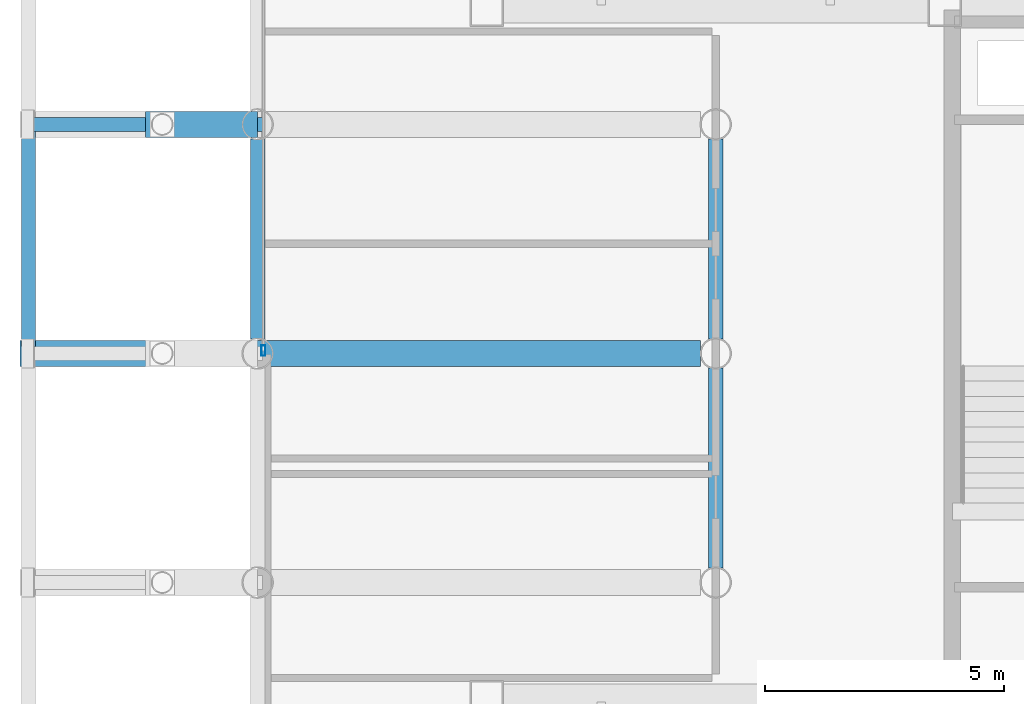
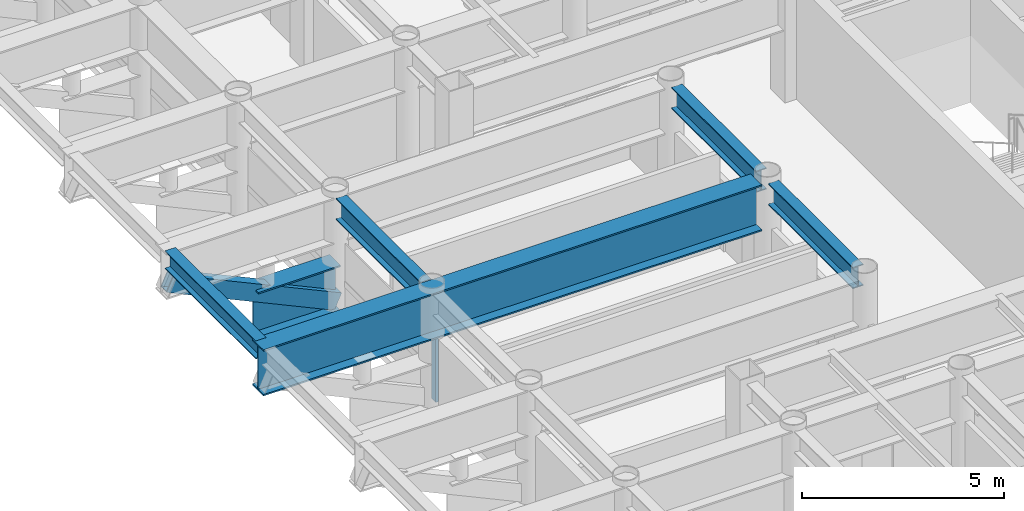
# One storey, part 5 of 23: 6 beams, 2 members, 1 element without a shape of its own.
"""IFC4 building model written with IfcOpenShell, lengths in metres."""

from ifc_helpers import new_model, si_unit, direction, frame, origin, origin_2d, place, context, subcontext, project, spatial, hollow_rectangle, i_section, extrude, material, layer, layer_set, material_profile, profile_set, type_object, element, aggregate, save


model = new_model("IFC4")

# Units and contexts
model_context = context("Model", 3, precision=1e-05, world=origin(), true_north=direction((0.0, 1.0)))
body_context = subcontext(model_context, "Body", "Model", "MODEL_VIEW")
ifc_project = project(units=[si_unit("LENGTHUNIT", "METRE"), si_unit("AREAUNIT", "SQUARE_METRE"), si_unit("VOLUMEUNIT", "CUBIC_METRE"), si_unit("PLANEANGLEUNIT", "RADIAN"), si_unit("MASSUNIT", "GRAM", prefix="KILO")], contexts=[model_context])

# Site, building, storey
site_placement = place(None, origin())
site = spatial("IfcSite", under=ifc_project, at=site_placement, CompositionType="ELEMENT")
building_placement = place(site_placement, origin())
building = spatial("IfcBuilding", under=site, at=building_placement, Name="Kallvorn Hotel Tower", CompositionType="ELEMENT")
storey_placement = place(building_placement, frame((0.0, 0.0, 121.10009765625)))
storey = spatial("IfcBuildingStorey", under=building, at=storey_placement, Name="L29", CompositionType="ELEMENT", Elevation=121.10009765625)

# Beams
ifc_material_1 = material(Name="Structural steel S355JR", Category="steel")
ifc_material_profile_1 = material_profile(ifc_material_1, i_section(OverallWidth=0.300048828125, OverallDepth=0.550048828125, WebThickness=0.014892578125, FlangeThickness=0.029052734375, at=origin_2d()), Name="HE 550 B")
ifc_profile_set_1 = profile_set([ifc_material_profile_1], Name="Structural steel S355JR")
beam_type_1 = type_object("IfcBeamType", Name="BM_HE550B", PredefinedType="SPANDREL", material=ifc_profile_set_1)
beam_1_placement = place(storey_placement, frame((-33.60009765625, 0.14990234375, 3.244873046875), z_axis=(0.0, 1.0, 0.0), x_axis=(-1.0, 0.0, 0.0)))
element("IfcBeam", 1, at=beam_1_placement, inside=storey, type_object=beam_type_1, Name="L30 Perimeter Spandrel 186", PredefinedType="SPANDREL", context=body_context, shape_type="SweptSolid", body=[
    extrude(i_section(OverallWidth=0.300048828125, OverallDepth=0.550048828125, WebThickness=0.014892578125, FlangeThickness=0.029052734375, at=origin_2d()), origin(), (0.0, 0.0, 1.0), 4.5),
])
ifc_material_2 = material(Name="Structural steel S355JR", Category="steel")
ifc_material_profile_2 = material_profile(ifc_material_2, i_section(OverallWidth=0.300048828125, OverallDepth=0.64990234375, WebThickness=0.01611328125, FlangeThickness=0.031005859375, at=origin_2d()), Name="HE 650 B")
ifc_profile_set_2 = profile_set([ifc_material_profile_2], Name="Structural steel S355JR")
beam_type_2 = type_object("IfcBeamType", Name="BM_HE650B", PredefinedType="BEAM", material=ifc_profile_set_2)
for number, where, z_axis, x_axis, name in (
    (2, (-28.800048828125, 0.304931640625, 3.19482421875), (0.0, 1.0, 0.0), (-1.0, 0.0, 0.0), "L30 Primary Y-Girder 86"),
    (3, (-19.199951171875, -4.4951171875, 3.19482421875), (0.0, 1.0, 0.0), (-1.0, 0.0, 0.0), "L30 Primary Y-Girder 100"),
    (4, (-19.199951171875, 0.304931640625, 3.19482421875), (0.0, 1.0, 0.0), (-1.0, 0.0, 0.0), "L30 Primary Y-Girder 101"),
):
    element("IfcBeam", number, at=place(storey_placement, frame(where, z_axis=z_axis, x_axis=x_axis)), inside=storey, type_object=beam_type_2, Name=name, PredefinedType="BEAM", context=body_context, shape_type="SweptSolid", body=[
        extrude(i_section(OverallWidth=0.300048828125, OverallDepth=0.64990234375, WebThickness=0.01611328125, FlangeThickness=0.031005859375, at=origin_2d()), origin(), (0.0, 0.0, 1.0), 4.190185546875),
    ])
ifc_material_3 = material(Name="Structural steel S355JR", Category="steel")
ifc_material_profile_3 = material_profile(ifc_material_3, i_section(OverallWidth=0.550048828125, OverallDepth=1.39990234375, WebThickness=0.02490234375, FlangeThickness=0.044921875, at=origin_2d()), Name="PG 1400x550x25x45")
ifc_profile_set_3 = profile_set([ifc_material_profile_3], Name="Structural steel S355JR")
beam_type_3 = type_object("IfcBeamType", Name="BM_PG_1400", PredefinedType="BEAM", material=ifc_profile_set_3)
beam_2_placement = place(storey_placement, frame((-19.52001953125, 0.0, 2.81982421875), z_axis=(-1.0, 0.0, 0.0), x_axis=(0.0, -1.0, 0.0)))
element("IfcBeam", 5, at=beam_2_placement, inside=storey, type_object=beam_type_3, Name="L30 Continuous Cantilever Transfer Girder 04", PredefinedType="BEAM", context=body_context, shape_type="SweptSolid", body=[
    extrude(i_section(OverallWidth=0.550048828125, OverallDepth=1.39990234375, WebThickness=0.02490234375, FlangeThickness=0.044921875, at=origin_2d()), origin(), (0.0, 0.0, 1.0), 14.260009765625),
])
beam_3_placement = place(storey_placement, frame((-28.800048828125, 4.800048828125, 0.719970703125), z_axis=(-1.0, 0.0, 0.0), x_axis=(0.0, -1.0, 0.0)))
element("IfcBeam", 6, at=beam_3_placement, inside=storey, type_object=beam_type_3, Name="L30 Cantilever Haunch Corbel 05", PredefinedType="BEAM", context=body_context, shape_type="SweptSolid", body=[
    extrude(i_section(OverallWidth=0.550048828125, OverallDepth=1.39990234375, WebThickness=0.02490234375, FlangeThickness=0.044921875, at=origin_2d()), origin(), (0.0, 0.0, 1.0), 2.349853515625),
])

# Curtain wall, member
ifc_material_4 = material(Name="Thermally broken black-anodised aluminium AA 6063-T6", Category="aluminium")
ifc_layer = layer(ifc_material_4, 0.199951171875)
ifc_layer_set = layer_set([ifc_layer], Name="CW_SYS_3_HOTEL_LOW")
curtain_wall_type = type_object("IfcCurtainWallType", Name="CW_SYS_3_HOTEL_LOW", PredefinedType="USERDEFINED", material=ifc_layer_set)
curtain_wall_placement = place(storey_placement, origin())
curtain_wall = element("IfcCurtainWall", 7, at=curtain_wall_placement, inside=storey, type_object=curtain_wall_type, Name="L29 Dark-Glass Curtain Wall CW-L29-WN", ObjectType="UNITISED CURTAIN WALL", PredefinedType="USERDEFINED")
ifc_material_5 = material(Name="Thermally broken black-anodised aluminium AA 6063-T6", Category="aluminium")
ifc_material_profile_4 = material_profile(ifc_material_5, hollow_rectangle(XDim=0.080078125, YDim=0.219970703125, WallThickness=0.0048828125, at=origin_2d()), Name="MUL 220x80")
ifc_profile_set_4 = profile_set([ifc_material_profile_4], Name="Thermally broken black-anodised aluminium AA 6063-T6")
member_type_1 = type_object("IfcMemberType", Name="CW_MULLION_220x80", PredefinedType="MULLION", material=ifc_profile_set_4)
member_1_placement = place(storey_placement, frame((-28.679931640625, 0.06005859375, 0.02001953125), z_axis=(0.0, 0.0, 1.0), x_axis=(1.0, 0.0, 0.0)))
member_1 = element("IfcMember", 8, at=member_1_placement, type_object=member_type_1, Name="CW-L29-WN Mullion 00", PredefinedType="MULLION", context=body_context, shape_type="SweptSolid", body=[
    extrude(hollow_rectangle(XDim=0.080078125, YDim=0.219970703125, WallThickness=0.0048828125, at=origin_2d()), origin(), (0.0, 0.0, 1.0), 2.079833984375),
])
aggregate(curtain_wall, [member_1])

# Member
ifc_material_6 = material(Name="Structural steel S355J2H", Category="steel")
ifc_material_profile_5 = material_profile(ifc_material_6, hollow_rectangle(XDim=0.300048828125, YDim=0.5, WallThickness=0.02490234375, at=origin_2d()), Name="RHS 500x300x25")
ifc_profile_set_5 = profile_set([ifc_material_profile_5], Name="Structural steel S355J2H")
member_type_2 = type_object("IfcMemberType", Name="MBR_OUTRIGGER_RHS500", PredefinedType="BRACE", material=ifc_profile_set_5)
member_2_placement = place(storey_placement, frame((-28.800048828125, 4.800048828125, 0.25), z_axis=(-0.907630778312, 0.0, 0.419769425115), x_axis=(0.0, -1.0, 0.0)))
element("IfcMember", 9, at=member_2_placement, inside=storey, type_object=member_type_2, Name="L30 Exoskeleton Cantilever Raking Strut 05", PredefinedType="BRACE", context=body_context, shape_type="SweptSolid", body=[
    extrude(hollow_rectangle(XDim=0.300048828125, YDim=0.5, WallThickness=0.02490234375, at=origin_2d()), origin(), (0.0, 0.0, 1.0), 5.28857421875),
])

save(model, "model.ifc")
